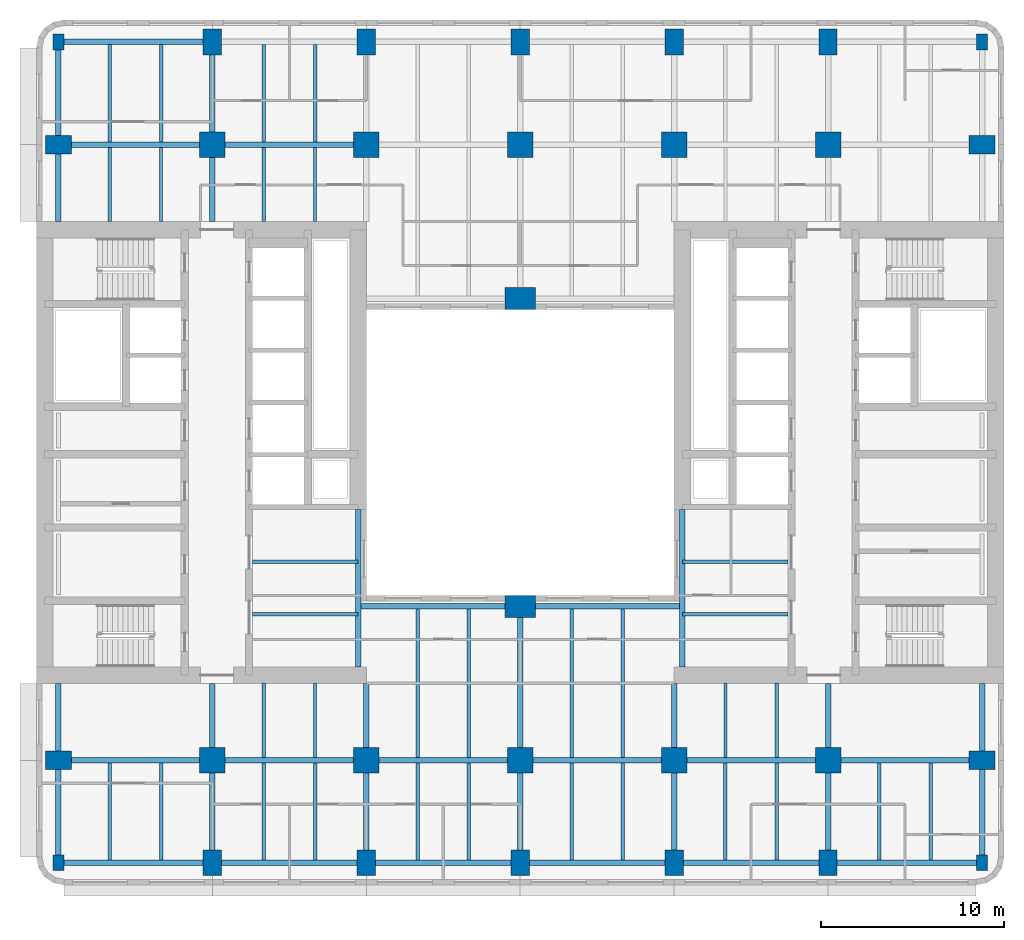
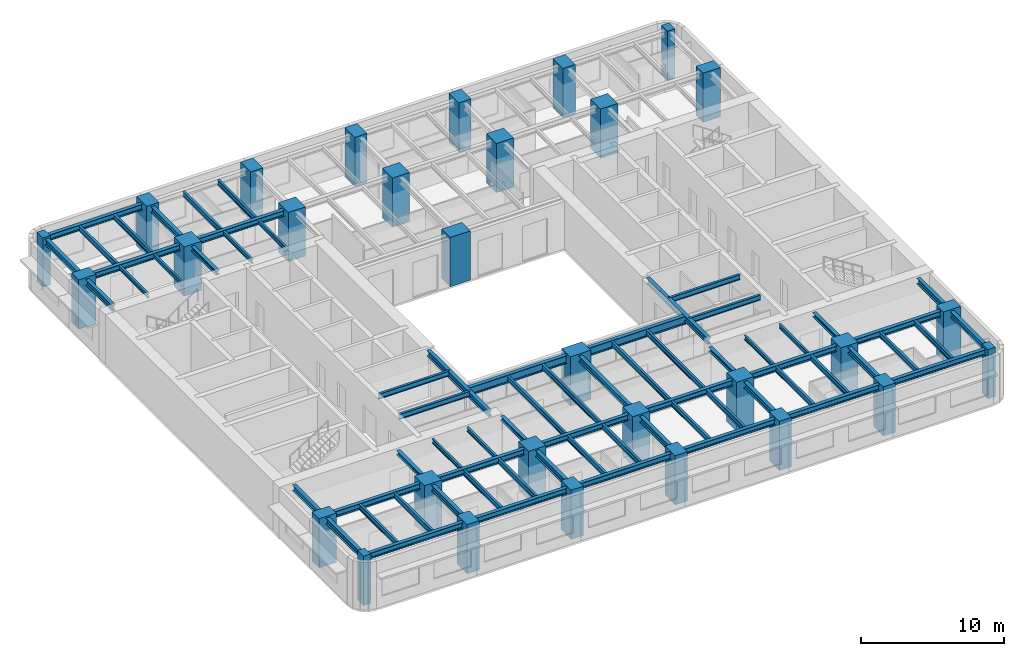
# One storey, part 1 of 11: 69 beams, 30 columns.
"""IFC4 building model written with IfcOpenShell, lengths in metres."""

from ifc_helpers import new_model, si_unit, direction, frame, origin, origin_2d, place, context, subcontext, project, spatial, rectangle, i_section, extrude, material, material_profile, profile_set, type_object, element, save


model = new_model("IFC4")

# Units and contexts
model_context = context("Model", 3, precision=1e-05, world=origin(), true_north=direction((0.0, 1.0)))
body_context = subcontext(model_context, "Body", "Model", "MODEL_VIEW")
ifc_project = project(units=[si_unit("LENGTHUNIT", "METRE"), si_unit("AREAUNIT", "SQUARE_METRE"), si_unit("VOLUMEUNIT", "CUBIC_METRE"), si_unit("PLANEANGLEUNIT", "RADIAN"), si_unit("MASSUNIT", "GRAM", prefix="KILO")], contexts=[model_context])

# Site, building, storey
site_placement = place(None, origin())
site = spatial("IfcSite", under=ifc_project, at=site_placement, CompositionType="ELEMENT")
building_placement = place(site_placement, origin())
building = spatial("IfcBuilding", under=site, at=building_placement, Name="Claustro Exchange Tower", CompositionType="ELEMENT")
storey_placement = place(building_placement, frame((0.0, 0.0, 113.39990234375)))
storey = spatial("IfcBuildingStorey", under=building, at=storey_placement, Name="L25", CompositionType="ELEMENT", Elevation=113.39990234375)

# Columns
ifc_material_1 = material(Name="Concrete HA-70 (C70/85)", Category="concrete")
ifc_material_profile_1 = material_profile(ifc_material_1, rectangle(XDim=1.39990234375, YDim=1.39990234375, at=origin_2d()), Name="RC 1400x1400")
ifc_profile_set_1 = profile_set([ifc_material_profile_1], Name="Concrete HA-70 (C70/85)")
column_type_1 = type_object("IfcColumnType", Name="C0 RC 1400x1400 HA-70 column", PredefinedType="COLUMN", material=ifc_profile_set_1)
for number, where, z_axis, x_axis, name in (
    (1, (8.39990234375, 8.39990234375, 0.0), (0.0, 0.0, 1.0), (1.0, 0.0, 0.0), "Column C0 2/B L25"),
    (2, (8.39990234375, 42.0, 0.0), (0.0, 0.0, 1.0), (1.0, 0.0, 0.0), "Column C0 2/F L25"),
    (3, (16.800048828125, 8.39990234375, 0.0), (0.0, 0.0, 1.0), (1.0, 0.0, 0.0), "Column C0 3/B L25"),
    (4, (16.800048828125, 42.0, 0.0), (0.0, 0.0, 1.0), (1.0, 0.0, 0.0), "Column C0 3/F L25"),
    (5, (25.199951171875, 8.39990234375, 0.0), (0.0, 0.0, 1.0), (1.0, 0.0, 0.0), "Column C0 4/B L25"),
    (6, (25.199951171875, 42.0, 0.0), (0.0, 0.0, 1.0), (1.0, 0.0, 0.0), "Column C0 4/F L25"),
    (7, (33.60009765625, 8.39990234375, 0.0), (0.0, 0.0, 1.0), (1.0, 0.0, 0.0), "Column C0 5/B L25"),
    (8, (33.60009765625, 42.0, 0.0), (0.0, 0.0, 1.0), (1.0, 0.0, 0.0), "Column C0 5/F L25"),
    (9, (42.0, 8.39990234375, 0.0), (0.0, 0.0, 1.0), (1.0, 0.0, 0.0), "Column C0 6/B L25"),
    (10, (42.0, 42.0, 0.0), (0.0, 0.0, 1.0), (1.0, 0.0, 0.0), "Column C0 6/F L25"),
):
    element("IfcColumn", number, at=place(storey_placement, frame(where, z_axis=z_axis, x_axis=x_axis)), inside=storey, type_object=column_type_1, Name=name, PredefinedType="COLUMN", context=body_context, shape_type="SweptSolid", body=[
        extrude(rectangle(XDim=1.39990234375, YDim=1.39990234375, at=origin_2d()), origin(), (0.0, 0.0, 1.0), 4.2001953125),
    ])
ifc_material_2 = material(Name="Concrete HA-70 (C70/85)", Category="concrete")
ifc_material_profile_2 = material_profile(ifc_material_2, rectangle(XDim=1.0, YDim=1.39990234375, at=origin_2d()), Name="RC 1000x1400")
ifc_profile_set_2 = profile_set([ifc_material_profile_2], Name="Concrete HA-70 (C70/85)")
column_type_2 = type_object("IfcColumnType", Name="C22 RC 1000x1400 HA-70 perimeter column", PredefinedType="COLUMN", material=ifc_profile_set_2)
for number, where, z_axis, x_axis, name in (
    (11, (0.0, 8.39990234375, 0.0), (0.0, 0.0, 1.0), (0.0, 1.0, 0.0), "Column C22 1/B L25"),
    (12, (0.0, 42.0, 0.0), (0.0, 0.0, 1.0), (0.0, 1.0, 0.0), "Column C22 1/F L25"),
    (13, (8.39990234375, 2.800048828125, 0.0), (0.0, 0.0, 1.0), (1.0, 0.0, 0.0), "Column C22 2/A+2800 L25"),
    (14, (8.39990234375, 47.60009765625, 0.0), (0.0, 0.0, 1.0), (1.0, 0.0, 0.0), "Column C22 2/F+5600 L25"),
    (15, (16.800048828125, 2.800048828125, 0.0), (0.0, 0.0, 1.0), (1.0, 0.0, 0.0), "Column C22 3/A+2800 L25"),
    (16, (16.800048828125, 47.60009765625, 0.0), (0.0, 0.0, 1.0), (1.0, 0.0, 0.0), "Column C22 3/F+5600 L25"),
    (17, (25.199951171875, 2.800048828125, 0.0), (0.0, 0.0, 1.0), (1.0, 0.0, 0.0), "Column C22 4/A+2800 L25"),
    (18, (25.199951171875, 47.60009765625, 0.0), (0.0, 0.0, 1.0), (1.0, 0.0, 0.0), "Column C22 4/F+5600 L25"),
    (19, (33.60009765625, 2.800048828125, 0.0), (0.0, 0.0, 1.0), (1.0, 0.0, 0.0), "Column C22 5/A+2800 L25"),
    (20, (33.60009765625, 47.60009765625, 0.0), (0.0, 0.0, 1.0), (1.0, 0.0, 0.0), "Column C22 5/F+5600 L25"),
    (21, (42.0, 2.800048828125, 0.0), (0.0, 0.0, 1.0), (1.0, 0.0, 0.0), "Column C22 6/A+2800 L25"),
    (22, (42.0, 47.60009765625, 0.0), (0.0, 0.0, 1.0), (1.0, 0.0, 0.0), "Column C22 6/F+5600 L25"),
    (23, (50.39990234375, 8.39990234375, 0.0), (0.0, 0.0, 1.0), (0.0, 1.0, 0.0), "Column C22 7/B L25"),
    (24, (50.39990234375, 42.0, 0.0), (0.0, 0.0, 1.0), (0.0, 1.0, 0.0), "Column C22 7/F L25"),
):
    element("IfcColumn", number, at=place(storey_placement, frame(where, z_axis=z_axis, x_axis=x_axis)), inside=storey, type_object=column_type_2, Name=name, PredefinedType="COLUMN", context=body_context, shape_type="SweptSolid", body=[
        extrude(rectangle(XDim=1.0, YDim=1.39990234375, at=origin_2d()), origin(), (0.0, 0.0, 1.0), 4.2001953125),
    ])
ifc_material_3 = material(Name="Concrete HA-50 (C50/60)", Category="concrete")
ifc_material_profile_3 = material_profile(ifc_material_3, rectangle(XDim=0.60009765625, YDim=0.85009765625, at=origin_2d()), Name="RC 600x850")
ifc_profile_set_3 = profile_set([ifc_material_profile_3], Name="Concrete HA-50 (C50/60)")
column_type_3 = type_object("IfcColumnType", Name="C25 RC 600x850 HA-50 corner column", PredefinedType="COLUMN", material=ifc_profile_set_3)
for number, where, z_axis, x_axis, name in (
    (25, (0.0, 2.800048828125, 0.0), (0.0, 0.0, 1.0), (1.0, 0.0, 0.0), "Column C25 1/A+2800 L25"),
    (26, (0.0, 47.60009765625, 0.0), (0.0, 0.0, 1.0), (1.0, 0.0, 0.0), "Column C25 1/F+5600 L25"),
    (27, (50.39990234375, 2.800048828125, 0.0), (0.0, 0.0, 1.0), (1.0, 0.0, 0.0), "Column C25 7/A+2800 L25"),
    (28, (50.39990234375, 47.60009765625, 0.0), (0.0, 0.0, 1.0), (1.0, 0.0, 0.0), "Column C25 7/F+5600 L25"),
):
    element("IfcColumn", number, at=place(storey_placement, frame(where, z_axis=z_axis, x_axis=x_axis)), inside=storey, type_object=column_type_3, Name=name, PredefinedType="COLUMN", context=body_context, shape_type="SweptSolid", body=[
        extrude(rectangle(XDim=0.60009765625, YDim=0.85009765625, at=origin_2d()), origin(), (0.0, 0.0, 1.0), 4.2001953125),
    ])
ifc_material_4 = material(Name="Concrete HA-70 (C70/85)", Category="concrete")
ifc_material_profile_4 = material_profile(ifc_material_4, rectangle(XDim=1.64990234375, YDim=1.199951171875, at=origin_2d()), Name="RC 1650x1200")
ifc_profile_set_4 = profile_set([ifc_material_profile_4], Name="Concrete HA-70 (C70/85)")
column_type_4 = type_object("IfcColumnType", Name="C32 RC 1650x1200 HA-70 light well column", PredefinedType="COLUMN", material=ifc_profile_set_4)
for number, where, z_axis, x_axis, name in (
    (29, (25.199951171875, 16.800048828125, 0.0), (0.0, 0.0, 1.0), (1.0, 0.0, 0.0), "Column C32 4/C L25"),
    (30, (25.199951171875, 33.60009765625, 0.0), (0.0, 0.0, 1.0), (1.0, 0.0, 0.0), "Column C32 4/E L25"),
):
    element("IfcColumn", number, at=place(storey_placement, frame(where, z_axis=z_axis, x_axis=x_axis)), inside=storey, type_object=column_type_4, Name=name, PredefinedType="COLUMN", context=body_context, shape_type="SweptSolid", body=[
        extrude(rectangle(XDim=1.64990234375, YDim=1.199951171875, at=origin_2d()), origin(), (0.0, 0.0, 1.0), 4.2001953125),
    ])

# Beams
ifc_material_5 = material(Name="Steel S355", Category="steel")
ifc_material_profile_5 = material_profile(ifc_material_5, i_section(OverallWidth=0.300048828125, OverallDepth=0.68994140625, WebThickness=0.014404296875, FlangeThickness=0.027099609375, FilletRadius=0.027099609375, at=origin_2d()), Name="HE 700 A")
ifc_profile_set_5 = profile_set([ifc_material_profile_5], Name="Steel S355")
beam_type_1 = type_object("IfcBeamType", Name="B13 HE 700 A light well edge girder", PredefinedType="BEAM", material=ifc_profile_set_5)
beam_1_placement = place(storey_placement, frame((16.35009765625, 16.800048828125, 3.705078125), z_axis=(1.0, 0.0, 0.0), x_axis=(0.0, 1.0, 0.0)))
element("IfcBeam", 31, at=beam_1_placement, inside=storey, type_object=beam_type_1, Name="Beam B13 L26", PredefinedType="BEAM", context=body_context, shape_type="SweptSolid", body=[
    extrude(i_section(OverallWidth=0.300048828125, OverallDepth=0.68994140625, WebThickness=0.014404296875, FlangeThickness=0.027099609375, FilletRadius=0.027099609375, at=origin_2d()), origin(), (0.0, 0.0, 1.0), 8.849853515625),
])
beam_2_placement = place(storey_placement, frame((25.199951171875, 16.800048828125, 3.705078125), z_axis=(1.0, 0.0, 0.0), x_axis=(0.0, 1.0, 0.0)))
element("IfcBeam", 32, at=beam_2_placement, inside=storey, type_object=beam_type_1, Name="Beam B13 L26", PredefinedType="BEAM", context=body_context, shape_type="SweptSolid", body=[
    extrude(i_section(OverallWidth=0.300048828125, OverallDepth=0.68994140625, WebThickness=0.014404296875, FlangeThickness=0.027099609375, FilletRadius=0.027099609375, at=origin_2d()), origin(), (0.0, 0.0, 1.0), 8.85009765625),
])
ifc_material_6 = material(Name="Steel S355", Category="steel")
ifc_material_profile_6 = material_profile(ifc_material_6, i_section(OverallWidth=0.169921875, OverallDepth=0.360107421875, WebThickness=0.008056640625, FlangeThickness=0.0126953125, FilletRadius=0.01806640625, at=origin_2d()), Name="IPE 360")
ifc_profile_set_6 = profile_set([ifc_material_profile_6], Name="Steel S355")
beam_type_2 = type_object("IfcBeamType", Name="B16 IPE 360 short-span beam", PredefinedType="BEAM", material=ifc_profile_set_6)
for number, where, z_axis, x_axis, name in (
    (33, (2.800048828125, 37.7900390625, 3.8701171875), (0.0, 1.0, 0.0), (-1.0, 0.0, 0.0), "Beam B16 L26"),
    (34, (5.60009765625, 37.7900390625, 3.8701171875), (0.0, 1.0, 0.0), (-1.0, 0.0, 0.0), "Beam B16 L26"),
    (35, (11.199951171875, 8.550048828125, 3.8701171875), (0.0, 1.0, 0.0), (-1.0, 0.0, 0.0), "Beam B16 L26"),
    (36, (14.0, 8.550048828125, 3.8701171875), (0.0, 1.0, 0.0), (-1.0, 0.0, 0.0), "Beam B16 L26"),
    (37, (11.199951171875, 37.7900390625, 3.8701171875), (0.0, 1.0, 0.0), (-1.0, 0.0, 0.0), "Beam B16 L26"),
    (38, (14.0, 37.7900390625, 3.8701171875), (0.0, 1.0, 0.0), (-1.0, 0.0, 0.0), "Beam B16 L26"),
    (39, (36.39990234375, 8.550048828125, 3.8701171875), (0.0, 1.0, 0.0), (-1.0, 0.0, 0.0), "Beam B16 L26"),
    (40, (39.199951171875, 8.550048828125, 3.8701171875), (0.0, 1.0, 0.0), (-1.0, 0.0, 0.0), "Beam B16 L26"),
):
    element("IfcBeam", number, at=place(storey_placement, frame(where, z_axis=z_axis, x_axis=x_axis)), inside=storey, type_object=beam_type_2, Name=name, PredefinedType="BEAM", context=body_context, shape_type="SweptSolid", body=[
        extrude(i_section(OverallWidth=0.169921875, OverallDepth=0.360107421875, WebThickness=0.008056640625, FlangeThickness=0.0126953125, FilletRadius=0.01806640625, at=origin_2d()), origin(), (0.0, 0.0, 1.0), 4.06005859375),
    ])
ifc_material_7 = material(Name="Steel S355", Category="steel")
ifc_material_profile_7 = material_profile(ifc_material_7, i_section(OverallWidth=0.300048828125, OverallDepth=0.360107421875, WebThickness=0.012451171875, FlangeThickness=0.0224609375, FilletRadius=0.027099609375, at=origin_2d()), Name="HE 360 B")
ifc_profile_set_7 = profile_set([ifc_material_profile_7], Name="Steel S355")
beam_type_3 = type_object("IfcBeamType", Name="B29 HE 360 B column to core link beam", PredefinedType="BEAM", material=ifc_profile_set_7)
beam_3_placement = place(storey_placement, frame((8.39990234375, 8.39990234375, 3.8701171875), z_axis=(0.0, 1.0, 0.0), x_axis=(-1.0, 0.0, 0.0)))
element("IfcBeam", 41, at=beam_3_placement, inside=storey, type_object=beam_type_3, Name="Beam B29 L26", PredefinedType="BEAM", context=body_context, shape_type="SweptSolid", body=[
    extrude(i_section(OverallWidth=0.300048828125, OverallDepth=0.360107421875, WebThickness=0.012451171875, FlangeThickness=0.0224609375, FilletRadius=0.027099609375, at=origin_2d()), origin(), (0.0, 0.0, 1.0), 4.2001953125),
])
beam_4_placement = place(storey_placement, frame((8.39990234375, 37.800048828125, 3.8701171875), z_axis=(0.0, 1.0, 0.0), x_axis=(-1.0, 0.0, 0.0)))
element("IfcBeam", 42, at=beam_4_placement, inside=storey, type_object=beam_type_3, Name="Beam B29 L26", PredefinedType="BEAM", context=body_context, shape_type="SweptSolid", body=[
    extrude(i_section(OverallWidth=0.300048828125, OverallDepth=0.360107421875, WebThickness=0.012451171875, FlangeThickness=0.0224609375, FilletRadius=0.027099609375, at=origin_2d()), origin(), (0.0, 0.0, 1.0), 4.199951171875),
])
for number, where, z_axis, x_axis, name in (
    (43, (16.800048828125, 8.39990234375, 3.8701171875), (0.0, 1.0, 0.0), (-1.0, 0.0, 0.0), "Beam B29 L26"),
    (44, (33.60009765625, 8.39990234375, 3.8701171875), (0.0, 1.0, 0.0), (-1.0, 0.0, 0.0), "Beam B29 L26"),
    (45, (42.0, 8.39990234375, 3.8701171875), (0.0, 1.0, 0.0), (-1.0, 0.0, 0.0), "Beam B29 L26"),
):
    element("IfcBeam", number, at=place(storey_placement, frame(where, z_axis=z_axis, x_axis=x_axis)), inside=storey, type_object=beam_type_3, Name=name, PredefinedType="BEAM", context=body_context, shape_type="SweptSolid", body=[
        extrude(i_section(OverallWidth=0.300048828125, OverallDepth=0.360107421875, WebThickness=0.012451171875, FlangeThickness=0.0224609375, FilletRadius=0.027099609375, at=origin_2d()), origin(), (0.0, 0.0, 1.0), 4.2001953125),
    ])
ifc_material_8 = material(Name="Steel S355", Category="steel")
ifc_material_profile_8 = material_profile(ifc_material_8, i_section(OverallWidth=0.300048828125, OverallDepth=0.5, WebThickness=0.014404296875, FlangeThickness=0.028076171875, FilletRadius=0.027099609375, at=origin_2d()), Name="HE 500 B")
ifc_profile_set_8 = profile_set([ifc_material_profile_8], Name="Steel S355")
beam_type_4 = type_object("IfcBeamType", Name="B7 HE 500 B floor girder", PredefinedType="BEAM", material=ifc_profile_set_8)
beam_5_placement = place(storey_placement, frame((8.39990234375, 2.800048828125, 3.800048828125), z_axis=(0.0, 1.0, 0.0), x_axis=(-1.0, 0.0, 0.0)))
element("IfcBeam", 46, at=beam_5_placement, inside=storey, type_object=beam_type_4, Name="Beam B7 L26", PredefinedType="BEAM", context=body_context, shape_type="SweptSolid", body=[
    extrude(i_section(OverallWidth=0.300048828125, OverallDepth=0.5, WebThickness=0.014404296875, FlangeThickness=0.028076171875, FilletRadius=0.027099609375, at=origin_2d()), origin(), (0.0, 0.0, 1.0), 5.599853515625),
])
beam_6_placement = place(storey_placement, frame((8.39990234375, 42.0, 3.800048828125), z_axis=(0.0, 1.0, 0.0), x_axis=(-1.0, 0.0, 0.0)))
element("IfcBeam", 47, at=beam_6_placement, inside=storey, type_object=beam_type_4, Name="Beam B7 L26", PredefinedType="BEAM", context=body_context, shape_type="SweptSolid", body=[
    extrude(i_section(OverallWidth=0.300048828125, OverallDepth=0.5, WebThickness=0.014404296875, FlangeThickness=0.028076171875, FilletRadius=0.027099609375, at=origin_2d()), origin(), (0.0, 0.0, 1.0), 5.60009765625),
])
for number, where, z_axis, x_axis, name in (
    (48, (16.800048828125, 2.800048828125, 3.800048828125), (0.0, 1.0, 0.0), (-1.0, 0.0, 0.0), "Beam B7 L26"),
    (49, (25.199951171875, 2.800048828125, 3.800048828125), (0.0, 1.0, 0.0), (-1.0, 0.0, 0.0), "Beam B7 L26"),
):
    element("IfcBeam", number, at=place(storey_placement, frame(where, z_axis=z_axis, x_axis=x_axis)), inside=storey, type_object=beam_type_4, Name=name, PredefinedType="BEAM", context=body_context, shape_type="SweptSolid", body=[
        extrude(i_section(OverallWidth=0.300048828125, OverallDepth=0.5, WebThickness=0.014404296875, FlangeThickness=0.028076171875, FilletRadius=0.027099609375, at=origin_2d()), origin(), (0.0, 0.0, 1.0), 5.599853515625),
    ])
beam_7_placement = place(storey_placement, frame((25.199951171875, 8.39990234375, 3.800048828125), z_axis=(0.0, 1.0, 0.0), x_axis=(-1.0, 0.0, 0.0)))
element("IfcBeam", 50, at=beam_7_placement, inside=storey, type_object=beam_type_4, Name="Beam B7 L26", PredefinedType="BEAM", context=body_context, shape_type="SweptSolid", body=[
    extrude(i_section(OverallWidth=0.300048828125, OverallDepth=0.5, WebThickness=0.014404296875, FlangeThickness=0.028076171875, FilletRadius=0.027099609375, at=origin_2d()), origin(), (0.0, 0.0, 1.0), 8.400146484375),
])
for number, where, z_axis, x_axis, name in (
    (51, (33.60009765625, 2.800048828125, 3.800048828125), (0.0, 1.0, 0.0), (-1.0, 0.0, 0.0), "Beam B7 L26"),
    (52, (42.0, 2.800048828125, 3.800048828125), (0.0, 1.0, 0.0), (-1.0, 0.0, 0.0), "Beam B7 L26"),
):
    element("IfcBeam", number, at=place(storey_placement, frame(where, z_axis=z_axis, x_axis=x_axis)), inside=storey, type_object=beam_type_4, Name=name, PredefinedType="BEAM", context=body_context, shape_type="SweptSolid", body=[
        extrude(i_section(OverallWidth=0.300048828125, OverallDepth=0.5, WebThickness=0.014404296875, FlangeThickness=0.028076171875, FilletRadius=0.027099609375, at=origin_2d()), origin(), (0.0, 0.0, 1.0), 5.599853515625),
    ])
beam_8_placement = place(storey_placement, frame((0.0, 8.39990234375, 3.800048828125), z_axis=(1.0, 0.0, 0.0), x_axis=(0.0, 1.0, 0.0)))
element("IfcBeam", 53, at=beam_8_placement, inside=storey, type_object=beam_type_4, Name="Beam B7 L26", PredefinedType="BEAM", context=body_context, shape_type="SweptSolid", body=[
    extrude(i_section(OverallWidth=0.300048828125, OverallDepth=0.5, WebThickness=0.014404296875, FlangeThickness=0.028076171875, FilletRadius=0.027099609375, at=origin_2d()), origin(), (0.0, 0.0, 1.0), 8.39990234375),
])
beam_9_placement = place(storey_placement, frame((8.39990234375, 8.39990234375, 3.800048828125), z_axis=(1.0, 0.0, 0.0), x_axis=(0.0, 1.0, 0.0)))
element("IfcBeam", 54, at=beam_9_placement, inside=storey, type_object=beam_type_4, Name="Beam B7 L26", PredefinedType="BEAM", context=body_context, shape_type="SweptSolid", body=[
    extrude(i_section(OverallWidth=0.300048828125, OverallDepth=0.5, WebThickness=0.014404296875, FlangeThickness=0.028076171875, FilletRadius=0.027099609375, at=origin_2d()), origin(), (0.0, 0.0, 1.0), 8.400146484375),
])
beam_10_placement = place(storey_placement, frame((16.800048828125, 8.39990234375, 3.800048828125), z_axis=(1.0, 0.0, 0.0), x_axis=(0.0, 1.0, 0.0)))
element("IfcBeam", 55, at=beam_10_placement, inside=storey, type_object=beam_type_4, Name="Beam B7 L26", PredefinedType="BEAM", context=body_context, shape_type="SweptSolid", body=[
    extrude(i_section(OverallWidth=0.300048828125, OverallDepth=0.5, WebThickness=0.014404296875, FlangeThickness=0.028076171875, FilletRadius=0.027099609375, at=origin_2d()), origin(), (0.0, 0.0, 1.0), 8.39990234375),
])
beam_11_placement = place(storey_placement, frame((25.199951171875, 8.39990234375, 3.800048828125), z_axis=(1.0, 0.0, 0.0), x_axis=(0.0, 1.0, 0.0)))
element("IfcBeam", 56, at=beam_11_placement, inside=storey, type_object=beam_type_4, Name="Beam B7 L26", PredefinedType="BEAM", context=body_context, shape_type="SweptSolid", body=[
    extrude(i_section(OverallWidth=0.300048828125, OverallDepth=0.5, WebThickness=0.014404296875, FlangeThickness=0.028076171875, FilletRadius=0.027099609375, at=origin_2d()), origin(), (0.0, 0.0, 1.0), 8.400146484375),
])
for number, where, z_axis, x_axis, name in (
    (57, (33.60009765625, 8.39990234375, 3.800048828125), (1.0, 0.0, 0.0), (0.0, 1.0, 0.0), "Beam B7 L26"),
    (58, (42.0, 8.39990234375, 3.800048828125), (1.0, 0.0, 0.0), (0.0, 1.0, 0.0), "Beam B7 L26"),
    (59, (0.0, 42.0, 3.800048828125), (1.0, 0.0, 0.0), (0.0, 1.0, 0.0), "Beam B7 L26"),
):
    element("IfcBeam", number, at=place(storey_placement, frame(where, z_axis=z_axis, x_axis=x_axis)), inside=storey, type_object=beam_type_4, Name=name, PredefinedType="BEAM", context=body_context, shape_type="SweptSolid", body=[
        extrude(i_section(OverallWidth=0.300048828125, OverallDepth=0.5, WebThickness=0.014404296875, FlangeThickness=0.028076171875, FilletRadius=0.027099609375, at=origin_2d()), origin(), (0.0, 0.0, 1.0), 8.39990234375),
    ])
beam_12_placement = place(storey_placement, frame((8.39990234375, 42.0, 3.800048828125), z_axis=(1.0, 0.0, 0.0), x_axis=(0.0, 1.0, 0.0)))
element("IfcBeam", 60, at=beam_12_placement, inside=storey, type_object=beam_type_4, Name="Beam B7 L26", PredefinedType="BEAM", context=body_context, shape_type="SweptSolid", body=[
    extrude(i_section(OverallWidth=0.300048828125, OverallDepth=0.5, WebThickness=0.014404296875, FlangeThickness=0.028076171875, FilletRadius=0.027099609375, at=origin_2d()), origin(), (0.0, 0.0, 1.0), 8.400146484375),
])
for number, where, z_axis, x_axis, name in (
    (61, (16.35009765625, 13.5, 3.800048828125), (0.0, 1.0, 0.0), (-1.0, 0.0, 0.0), "Beam B7 core step framing L26"),
    (62, (34.050048828125, 13.5, 3.800048828125), (0.0, 1.0, 0.0), (-1.0, 0.0, 0.0), "Beam B7 core step framing L26"),
):
    element("IfcBeam", number, at=place(storey_placement, frame(where, z_axis=z_axis, x_axis=x_axis)), inside=storey, type_object=beam_type_4, Name=name, PredefinedType="BEAM", context=body_context, shape_type="SweptSolid", body=[
        extrude(i_section(OverallWidth=0.300048828125, OverallDepth=0.5, WebThickness=0.014404296875, FlangeThickness=0.028076171875, FilletRadius=0.027099609375, at=origin_2d()), origin(), (0.0, 0.0, 1.0), 8.60009765625),
    ])
ifc_material_9 = material(Name="Steel S355", Category="steel")
ifc_material_profile_9 = material_profile(ifc_material_9, i_section(OverallWidth=0.18994140625, OverallDepth=0.449951171875, WebThickness=0.009521484375, FlangeThickness=0.0146484375, FilletRadius=0.02099609375, at=origin_2d()), Name="IPE 450")
ifc_profile_set_9 = profile_set([ifc_material_profile_9], Name="Steel S355")
beam_type_5 = type_object("IfcBeamType", Name="B8 IPE 450 secondary beam", PredefinedType="BEAM", material=ifc_profile_set_9)
for number, where, z_axis, x_axis, name in (
    (63, (2.800048828125, 2.949951171875, 3.8251953125), (0.0, 1.0, 0.0), (-1.0, 0.0, 0.0), "Beam B8 L26"),
    (64, (5.60009765625, 2.949951171875, 3.8251953125), (0.0, 1.0, 0.0), (-1.0, 0.0, 0.0), "Beam B8 L26"),
    (65, (2.800048828125, 42.14990234375, 3.8251953125), (0.0, 1.0, 0.0), (-1.0, 0.0, 0.0), "Beam B8 L26"),
    (66, (5.60009765625, 42.14990234375, 3.8251953125), (0.0, 1.0, 0.0), (-1.0, 0.0, 0.0), "Beam B8 L26"),
    (67, (11.199951171875, 2.949951171875, 3.8251953125), (0.0, 1.0, 0.0), (-1.0, 0.0, 0.0), "Beam B8 L26"),
    (68, (14.0, 2.949951171875, 3.8251953125), (0.0, 1.0, 0.0), (-1.0, 0.0, 0.0), "Beam B8 L26"),
    (69, (11.199951171875, 42.14990234375, 3.8251953125), (0.0, 1.0, 0.0), (-1.0, 0.0, 0.0), "Beam B8 L26"),
    (70, (14.0, 42.14990234375, 3.8251953125), (0.0, 1.0, 0.0), (-1.0, 0.0, 0.0), "Beam B8 L26"),
    (71, (19.60009765625, 2.949951171875, 3.8251953125), (0.0, 1.0, 0.0), (-1.0, 0.0, 0.0), "Beam B8 L26"),
    (72, (22.39990234375, 2.949951171875, 3.8251953125), (0.0, 1.0, 0.0), (-1.0, 0.0, 0.0), "Beam B8 L26"),
):
    element("IfcBeam", number, at=place(storey_placement, frame(where, z_axis=z_axis, x_axis=x_axis)), inside=storey, type_object=beam_type_5, Name=name, PredefinedType="BEAM", context=body_context, shape_type="SweptSolid", body=[
        extrude(i_section(OverallWidth=0.18994140625, OverallDepth=0.449951171875, WebThickness=0.009521484375, FlangeThickness=0.0146484375, FilletRadius=0.02099609375, at=origin_2d()), origin(), (0.0, 0.0, 1.0), 5.300048828125),
    ])
for number, where, z_axis, x_axis, name in (
    (73, (19.60009765625, 8.550048828125, 3.8251953125), (0.0, 1.0, 0.0), (-1.0, 0.0, 0.0), "Beam B8 L26"),
    (74, (22.39990234375, 8.550048828125, 3.8251953125), (0.0, 1.0, 0.0), (-1.0, 0.0, 0.0), "Beam B8 L26"),
):
    element("IfcBeam", number, at=place(storey_placement, frame(where, z_axis=z_axis, x_axis=x_axis)), inside=storey, type_object=beam_type_5, Name=name, PredefinedType="BEAM", context=body_context, shape_type="SweptSolid", body=[
        extrude(i_section(OverallWidth=0.18994140625, OverallDepth=0.449951171875, WebThickness=0.009521484375, FlangeThickness=0.0146484375, FilletRadius=0.02099609375, at=origin_2d()), origin(), (0.0, 0.0, 1.0), 8.099853515625),
    ])
for number, where, z_axis, x_axis, name in (
    (75, (28.0, 2.949951171875, 3.8251953125), (0.0, 1.0, 0.0), (-1.0, 0.0, 0.0), "Beam B8 L26"),
    (76, (30.800048828125, 2.949951171875, 3.8251953125), (0.0, 1.0, 0.0), (-1.0, 0.0, 0.0), "Beam B8 L26"),
):
    element("IfcBeam", number, at=place(storey_placement, frame(where, z_axis=z_axis, x_axis=x_axis)), inside=storey, type_object=beam_type_5, Name=name, PredefinedType="BEAM", context=body_context, shape_type="SweptSolid", body=[
        extrude(i_section(OverallWidth=0.18994140625, OverallDepth=0.449951171875, WebThickness=0.009521484375, FlangeThickness=0.0146484375, FilletRadius=0.02099609375, at=origin_2d()), origin(), (0.0, 0.0, 1.0), 5.300048828125),
    ])
for number, where, z_axis, x_axis, name in (
    (77, (28.0, 8.550048828125, 3.8251953125), (0.0, 1.0, 0.0), (-1.0, 0.0, 0.0), "Beam B8 L26"),
    (78, (30.800048828125, 8.550048828125, 3.8251953125), (0.0, 1.0, 0.0), (-1.0, 0.0, 0.0), "Beam B8 L26"),
):
    element("IfcBeam", number, at=place(storey_placement, frame(where, z_axis=z_axis, x_axis=x_axis)), inside=storey, type_object=beam_type_5, Name=name, PredefinedType="BEAM", context=body_context, shape_type="SweptSolid", body=[
        extrude(i_section(OverallWidth=0.18994140625, OverallDepth=0.449951171875, WebThickness=0.009521484375, FlangeThickness=0.0146484375, FilletRadius=0.02099609375, at=origin_2d()), origin(), (0.0, 0.0, 1.0), 8.099853515625),
    ])
for number, where, z_axis, x_axis, name in (
    (79, (36.39990234375, 2.949951171875, 3.8251953125), (0.0, 1.0, 0.0), (-1.0, 0.0, 0.0), "Beam B8 L26"),
    (80, (39.199951171875, 2.949951171875, 3.8251953125), (0.0, 1.0, 0.0), (-1.0, 0.0, 0.0), "Beam B8 L26"),
    (81, (44.800048828125, 2.949951171875, 3.8251953125), (0.0, 1.0, 0.0), (-1.0, 0.0, 0.0), "Beam B8 L26"),
    (82, (47.60009765625, 2.949951171875, 3.8251953125), (0.0, 1.0, 0.0), (-1.0, 0.0, 0.0), "Beam B8 L26"),
):
    element("IfcBeam", number, at=place(storey_placement, frame(where, z_axis=z_axis, x_axis=x_axis)), inside=storey, type_object=beam_type_5, Name=name, PredefinedType="BEAM", context=body_context, shape_type="SweptSolid", body=[
        extrude(i_section(OverallWidth=0.18994140625, OverallDepth=0.449951171875, WebThickness=0.009521484375, FlangeThickness=0.0146484375, FilletRadius=0.02099609375, at=origin_2d()), origin(), (0.0, 0.0, 1.0), 5.300048828125),
    ])
for number, where, z_axis, x_axis, name in (
    (83, (10.60009765625, 16.36669921875, 3.8251953125), (1.0, 0.0, 0.0), (0.0, 1.0, 0.0), "Beam B8 core step framing L26"),
    (84, (10.60009765625, 19.2333984375, 3.8251953125), (1.0, 0.0, 0.0), (0.0, 1.0, 0.0), "Beam B8 core step framing L26"),
    (85, (34.050048828125, 16.36669921875, 3.8251953125), (1.0, 0.0, 0.0), (0.0, 1.0, 0.0), "Beam B8 core step framing L26"),
    (86, (34.050048828125, 19.2333984375, 3.8251953125), (1.0, 0.0, 0.0), (0.0, 1.0, 0.0), "Beam B8 core step framing L26"),
):
    element("IfcBeam", number, at=place(storey_placement, frame(where, z_axis=z_axis, x_axis=x_axis)), inside=storey, type_object=beam_type_5, Name=name, PredefinedType="BEAM", context=body_context, shape_type="SweptSolid", body=[
        extrude(i_section(OverallWidth=0.18994140625, OverallDepth=0.449951171875, WebThickness=0.009521484375, FlangeThickness=0.0146484375, FilletRadius=0.02099609375, at=origin_2d()), origin(), (0.0, 0.0, 1.0), 5.75),
    ])
ifc_material_10 = material(Name="Steel S355", Category="steel")
ifc_material_profile_10 = material_profile(ifc_material_10, i_section(OverallWidth=0.300048828125, OverallDepth=0.489990234375, WebThickness=0.011962890625, FlangeThickness=0.02294921875, FilletRadius=0.027099609375, at=origin_2d()), Name="HE 500 A")
ifc_profile_set_10 = profile_set([ifc_material_profile_10], Name="Steel S355")
beam_type_6 = type_object("IfcBeamType", Name="B9 HE 500 A spandrel edge girder", PredefinedType="SPANDREL", material=ifc_profile_set_10)
beam_13_placement = place(storey_placement, frame((0.0, 2.800048828125, 3.80517578125), z_axis=(0.0, 1.0, 0.0), x_axis=(-1.0, 0.0, 0.0)))
element("IfcBeam", 87, at=beam_13_placement, inside=storey, type_object=beam_type_6, Name="Beam B9 L26", PredefinedType="SPANDREL", context=body_context, shape_type="SweptSolid", body=[
    extrude(i_section(OverallWidth=0.300048828125, OverallDepth=0.489990234375, WebThickness=0.011962890625, FlangeThickness=0.02294921875, FilletRadius=0.027099609375, at=origin_2d()), origin(), (0.0, 0.0, 1.0), 5.599853515625),
])
beam_14_placement = place(storey_placement, frame((0.0, 8.39990234375, 3.80517578125), z_axis=(0.0, 1.0, 0.0), x_axis=(-1.0, 0.0, 0.0)))
element("IfcBeam", 88, at=beam_14_placement, inside=storey, type_object=beam_type_6, Name="Beam B9 L26", PredefinedType="SPANDREL", context=body_context, shape_type="SweptSolid", body=[
    extrude(i_section(OverallWidth=0.300048828125, OverallDepth=0.489990234375, WebThickness=0.011962890625, FlangeThickness=0.02294921875, FilletRadius=0.027099609375, at=origin_2d()), origin(), (0.0, 0.0, 1.0), 4.2001953125),
])
beam_15_placement = place(storey_placement, frame((0.0, 37.800048828125, 3.80517578125), z_axis=(0.0, 1.0, 0.0), x_axis=(-1.0, 0.0, 0.0)))
element("IfcBeam", 89, at=beam_15_placement, inside=storey, type_object=beam_type_6, Name="Beam B9 L26", PredefinedType="SPANDREL", context=body_context, shape_type="SweptSolid", body=[
    extrude(i_section(OverallWidth=0.300048828125, OverallDepth=0.489990234375, WebThickness=0.011962890625, FlangeThickness=0.02294921875, FilletRadius=0.027099609375, at=origin_2d()), origin(), (0.0, 0.0, 1.0), 4.199951171875),
])
beam_16_placement = place(storey_placement, frame((0.0, 42.0, 3.80517578125), z_axis=(0.0, 1.0, 0.0), x_axis=(-1.0, 0.0, 0.0)))
element("IfcBeam", 90, at=beam_16_placement, inside=storey, type_object=beam_type_6, Name="Beam B9 L26", PredefinedType="SPANDREL", context=body_context, shape_type="SweptSolid", body=[
    extrude(i_section(OverallWidth=0.300048828125, OverallDepth=0.489990234375, WebThickness=0.011962890625, FlangeThickness=0.02294921875, FilletRadius=0.027099609375, at=origin_2d()), origin(), (0.0, 0.0, 1.0), 5.60009765625),
])
beam_17_placement = place(storey_placement, frame((50.39990234375, 2.800048828125, 3.80517578125), z_axis=(0.0, 1.0, 0.0), x_axis=(-1.0, 0.0, 0.0)))
element("IfcBeam", 91, at=beam_17_placement, inside=storey, type_object=beam_type_6, Name="Beam B9 L26", PredefinedType="SPANDREL", context=body_context, shape_type="SweptSolid", body=[
    extrude(i_section(OverallWidth=0.300048828125, OverallDepth=0.489990234375, WebThickness=0.011962890625, FlangeThickness=0.02294921875, FilletRadius=0.027099609375, at=origin_2d()), origin(), (0.0, 0.0, 1.0), 5.599853515625),
])
beam_18_placement = place(storey_placement, frame((50.39990234375, 8.39990234375, 3.80517578125), z_axis=(0.0, 1.0, 0.0), x_axis=(-1.0, 0.0, 0.0)))
element("IfcBeam", 92, at=beam_18_placement, inside=storey, type_object=beam_type_6, Name="Beam B9 L26", PredefinedType="SPANDREL", context=body_context, shape_type="SweptSolid", body=[
    extrude(i_section(OverallWidth=0.300048828125, OverallDepth=0.489990234375, WebThickness=0.011962890625, FlangeThickness=0.02294921875, FilletRadius=0.027099609375, at=origin_2d()), origin(), (0.0, 0.0, 1.0), 4.2001953125),
])
beam_19_placement = place(storey_placement, frame((0.0, 2.800048828125, 3.80517578125), z_axis=(1.0, 0.0, 0.0), x_axis=(0.0, 1.0, 0.0)))
element("IfcBeam", 93, at=beam_19_placement, inside=storey, type_object=beam_type_6, Name="Beam B9 L26", PredefinedType="SPANDREL", context=body_context, shape_type="SweptSolid", body=[
    extrude(i_section(OverallWidth=0.300048828125, OverallDepth=0.489990234375, WebThickness=0.011962890625, FlangeThickness=0.02294921875, FilletRadius=0.027099609375, at=origin_2d()), origin(), (0.0, 0.0, 1.0), 8.39990234375),
])
beam_20_placement = place(storey_placement, frame((8.39990234375, 2.800048828125, 3.80517578125), z_axis=(1.0, 0.0, 0.0), x_axis=(0.0, 1.0, 0.0)))
element("IfcBeam", 94, at=beam_20_placement, inside=storey, type_object=beam_type_6, Name="Beam B9 L26", PredefinedType="SPANDREL", context=body_context, shape_type="SweptSolid", body=[
    extrude(i_section(OverallWidth=0.300048828125, OverallDepth=0.489990234375, WebThickness=0.011962890625, FlangeThickness=0.02294921875, FilletRadius=0.027099609375, at=origin_2d()), origin(), (0.0, 0.0, 1.0), 8.400146484375),
])
beam_21_placement = place(storey_placement, frame((16.800048828125, 2.800048828125, 3.80517578125), z_axis=(1.0, 0.0, 0.0), x_axis=(0.0, 1.0, 0.0)))
element("IfcBeam", 95, at=beam_21_placement, inside=storey, type_object=beam_type_6, Name="Beam B9 L26", PredefinedType="SPANDREL", context=body_context, shape_type="SweptSolid", body=[
    extrude(i_section(OverallWidth=0.300048828125, OverallDepth=0.489990234375, WebThickness=0.011962890625, FlangeThickness=0.02294921875, FilletRadius=0.027099609375, at=origin_2d()), origin(), (0.0, 0.0, 1.0), 8.39990234375),
])
beam_22_placement = place(storey_placement, frame((25.199951171875, 2.800048828125, 3.80517578125), z_axis=(1.0, 0.0, 0.0), x_axis=(0.0, 1.0, 0.0)))
element("IfcBeam", 96, at=beam_22_placement, inside=storey, type_object=beam_type_6, Name="Beam B9 L26", PredefinedType="SPANDREL", context=body_context, shape_type="SweptSolid", body=[
    extrude(i_section(OverallWidth=0.300048828125, OverallDepth=0.489990234375, WebThickness=0.011962890625, FlangeThickness=0.02294921875, FilletRadius=0.027099609375, at=origin_2d()), origin(), (0.0, 0.0, 1.0), 8.400146484375),
])
for number, where, z_axis, x_axis, name in (
    (97, (33.60009765625, 2.800048828125, 3.80517578125), (1.0, 0.0, 0.0), (0.0, 1.0, 0.0), "Beam B9 L26"),
    (98, (42.0, 2.800048828125, 3.80517578125), (1.0, 0.0, 0.0), (0.0, 1.0, 0.0), "Beam B9 L26"),
    (99, (0.0, 47.60009765625, 3.80517578125), (1.0, 0.0, 0.0), (0.0, 1.0, 0.0), "Beam B9 L26"),
):
    element("IfcBeam", number, at=place(storey_placement, frame(where, z_axis=z_axis, x_axis=x_axis)), inside=storey, type_object=beam_type_6, Name=name, PredefinedType="SPANDREL", context=body_context, shape_type="SweptSolid", body=[
        extrude(i_section(OverallWidth=0.300048828125, OverallDepth=0.489990234375, WebThickness=0.011962890625, FlangeThickness=0.02294921875, FilletRadius=0.027099609375, at=origin_2d()), origin(), (0.0, 0.0, 1.0), 8.39990234375),
    ])

save(model, "model.ifc")
